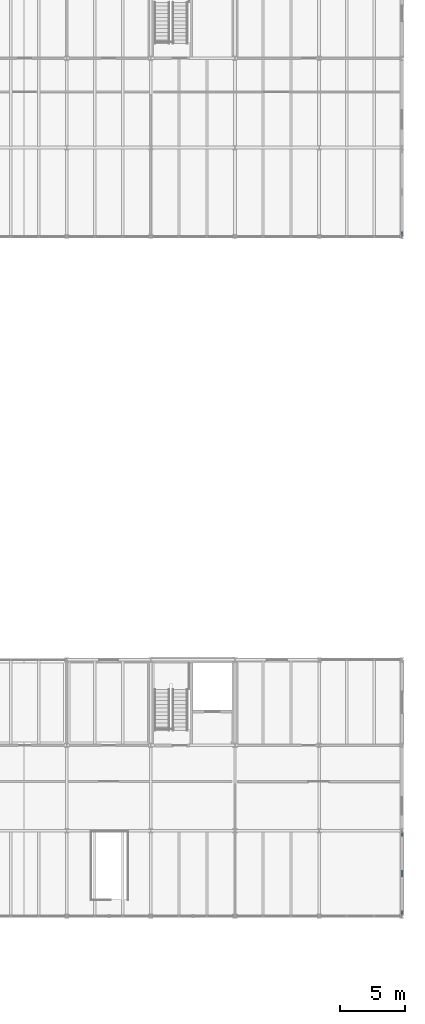
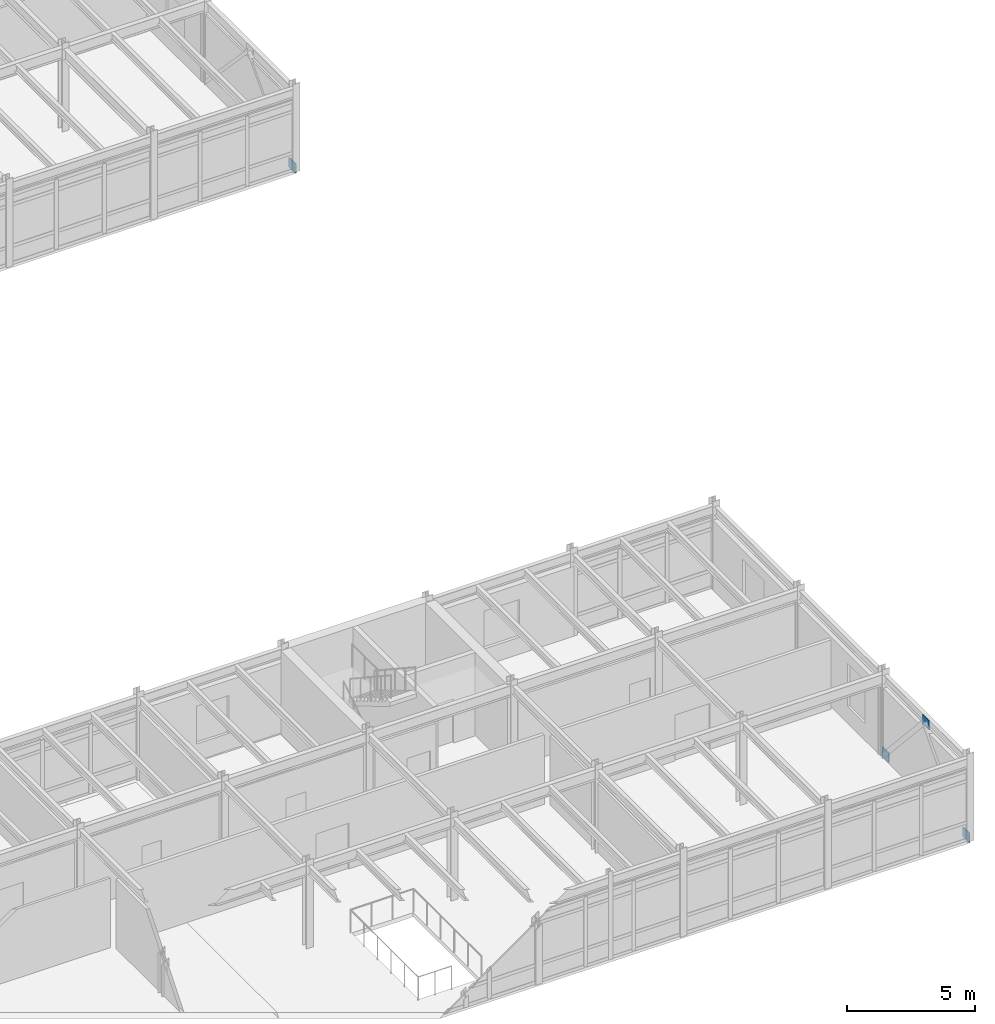
# One storey, part 126 of 144: 4 plates.
"""IFC4 building model written with IfcOpenShell, lengths in metres."""

from ifc_helpers import new_model, si_unit, direction, frame, origin, origin_2d, place, context, subcontext, project, spatial, rectangle, extrude, material, layer, layer_set, type_object, element, save


model = new_model("IFC4")

# Units and contexts
model_context = context("Model", 3, precision=1e-05, world=origin(), true_north=direction((0.0, 1.0)))
body_context = subcontext(model_context, "Body", "Model", "MODEL_VIEW")
ifc_project = project(units=[si_unit("LENGTHUNIT", "METRE"), si_unit("AREAUNIT", "SQUARE_METRE"), si_unit("VOLUMEUNIT", "CUBIC_METRE"), si_unit("PLANEANGLEUNIT", "RADIAN"), si_unit("MASSUNIT", "GRAM", prefix="KILO")], contexts=[model_context])

# Site, building, storey
site_placement = place(None, origin())
site = spatial("IfcSite", under=ifc_project, at=site_placement, CompositionType="ELEMENT")
building_placement = place(site_placement, origin())
building = spatial("IfcBuilding", under=site, at=building_placement, Name="Trelmorton Wharf Fire Station", CompositionType="ELEMENT")
storey_placement = place(building_placement, frame((0.0, 0.0, 5.39990234375)))
storey = spatial("IfcBuildingStorey", under=building, at=storey_placement, Name="L01", CompositionType="ELEMENT", Elevation=5.39990234375)

# Plates
ifc_material = material(Name="Steel Grade 350", Category="steel")
ifc_layer = layer(ifc_material, 0.050048828125)
ifc_layer_set = layer_set([ifc_layer], Name="Steel Grade 350")
plate_type = type_object("IfcPlateType", Name="PL_GUSSET_TN2", PredefinedType="USERDEFINED", material=ifc_layer_set)
for number, where, z_axis, x_axis, name in (
    (1, (162.39990234375, 7.96044921875, -0.10498046875), (0.0, 0.0, 1.0), (1.0, 0.0, 0.0), "PL-CBF-0391"),
    (2, (162.39990234375, 14.239501953125, -0.10498046875), (0.0, 0.0, 1.0), (1.0, 0.0, 0.0), "PL-CBF-0392"),
    (3, (162.39990234375, 11.10009765625, 3.35498046875), (0.0, 0.0, 1.0), (1.0, 0.0, 0.0), "PL-CBF-0393"),
    (4, (162.39990234375, 60.45751953125, -0.10498046875), (0.0, 0.0, 1.0), (1.0, 0.0, 0.0), "PL-CBF-0454"),
):
    element("IfcPlate", number, at=place(storey_placement, frame(where, z_axis=z_axis, x_axis=x_axis)), inside=storey, type_object=plate_type, Name=name, ObjectType="GUSSET PLATE", PredefinedType="USERDEFINED", context=body_context, shape_type="SweptSolid", body=[
        extrude(rectangle(XDim=0.050048828125, YDim=0.5, at=origin_2d()), origin(), (0.0, 0.0, 1.0), 0.449951171875),
    ])

save(model, "model.ifc")
